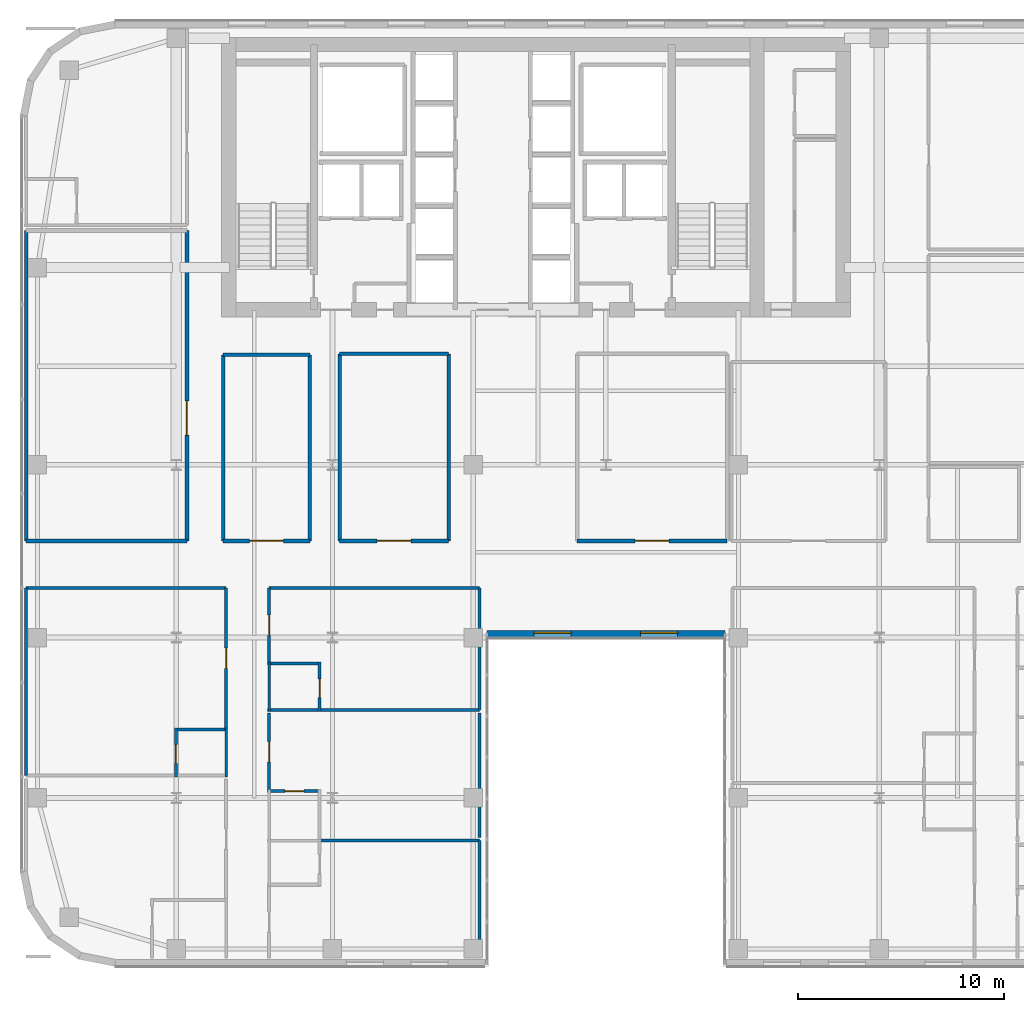
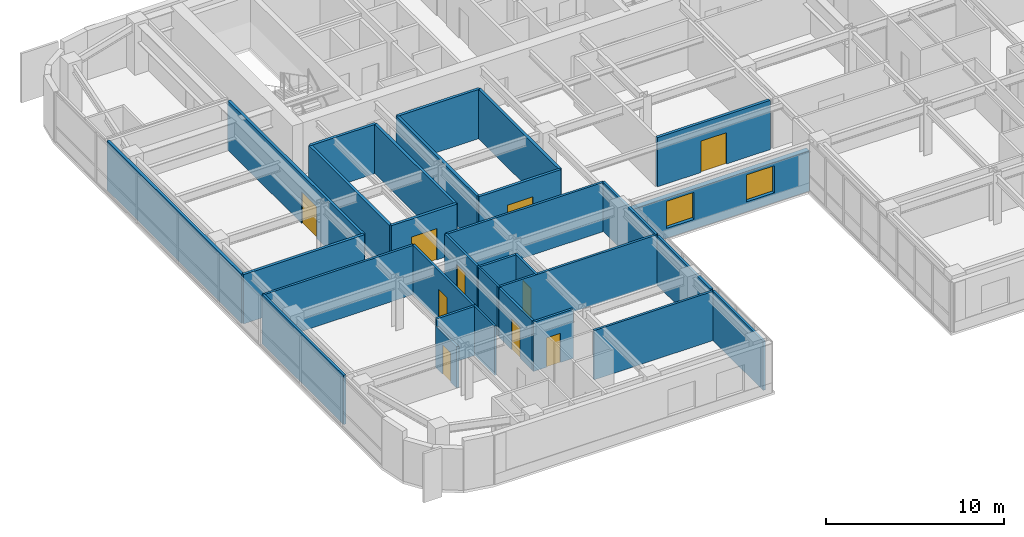
# One storey, part 27 of 37: 31 walls, 10 doors, 2 windows, 12 openings.
"""IFC4 building model written with IfcOpenShell, lengths in metres."""

from ifc_helpers import new_model, si_unit, direction, frame, frame_2d, origin, place, context, subcontext, project, spatial, rectangle, extrude, source, transform, mapped, material, layer, layer_set, type_object, type_shapes, element, fill, save


model = new_model("IFC4")

# Units and contexts
model_context = context("Model", 3, precision=1e-05, world=origin(), true_north=direction((0.0, 1.0)))
body_context = subcontext(model_context, "Body", "Model", "MODEL_VIEW")
ifc_project = project(units=[si_unit("LENGTHUNIT", "METRE"), si_unit("AREAUNIT", "SQUARE_METRE"), si_unit("VOLUMEUNIT", "CUBIC_METRE"), si_unit("PLANEANGLEUNIT", "RADIAN"), si_unit("MASSUNIT", "GRAM", prefix="KILO")], contexts=[model_context])

# Site, building, storey
site_placement = place(None, origin())
site = spatial("IfcSite", under=ifc_project, at=site_placement, CompositionType="ELEMENT")
building_placement = place(site_placement, origin())
building = spatial("IfcBuilding", under=site, at=building_placement, Name="Tolvann Quenvar Hotel", CompositionType="ELEMENT")
storey_placement = place(building_placement, frame((0.0, 0.0, 104.449951171875)))
storey = spatial("IfcBuildingStorey", under=building, at=storey_placement, Name="L26", CompositionType="ELEMENT", Elevation=104.449951171875)

# Wall, openings, windows
ifc_material_1 = material(Name="Kiln-fired red and buff architectural clay brickwork and terracotta masonry", Category="masonry")
ifc_layer_1 = layer(ifc_material_1, 0.35009765625)
ifc_layer_set_1 = layer_set([ifc_layer_1], Name="Kiln-fired red and buff architectural clay brickwork and terracotta masonry")
wall_type_1 = type_object("IfcWallType", Name="WALL_EXT_BRICK_350", PredefinedType="SOLIDWALL", material=ifc_layer_set_1)
wall_1_placement = place(storey_placement, frame((22.7099609375, 16.175048828125, 0.0), z_axis=(0.0, 0.0, 1.0), x_axis=(1.0, 0.0, 0.0)))
wall_1 = element("IfcWall", 1, at=wall_1_placement, inside=storey, type_object=wall_type_1, Name="Exterior Chicago Brick Wall L26-E06", PredefinedType="SOLIDWALL", context=body_context, shape_type="SweptSolid", body=[
    extrude(rectangle(XDim=11.580078125, YDim=0.35009765625, at=frame_2d((5.7900390625, 0.0))), origin(), (0.0, 0.0, 1.0), 2.748046875),
])
opening_1_placement = place(wall_1_placement, frame((2.294921875, 0.0, 0.679931640625)))
opening_1 = element("IfcOpeningElement", 2, at=opening_1_placement, cuts=wall_1, Name="Opening W-03", PredefinedType="OPENING", context=body_context, shape_type="SweptSolid", body=[
    extrude(rectangle(XDim=1.800048828125, YDim=1.85009765625, at=frame_2d((0.89990234375, 0.925048828125))), frame((0.0, 0.18505859375, 0.0), z_axis=(0.0, -1.0, 0.0), x_axis=(1.0, 0.0, 0.0)), (0.0, 0.0, 1.0), 0.3701171875),
])
opening_2_placement = place(wall_1_placement, frame((7.485107421875, 0.0, 0.679931640625)))
opening_2 = element("IfcOpeningElement", 3, at=opening_2_placement, cuts=wall_1, Name="Opening W-03", PredefinedType="OPENING", context=body_context, shape_type="SweptSolid", body=[
    extrude(rectangle(XDim=1.800048828125, YDim=1.85009765625, at=frame_2d((0.89990234375, 0.925048828125))), frame((0.0, 0.18505859375, 0.0), z_axis=(0.0, -1.0, 0.0), x_axis=(1.0, 0.0, 0.0)), (0.0, 0.0, 1.0), 0.3701171875),
])
ifc_material_2 = material(Name="Thermally broken bronze-anodised aluminium frame with double low-E glazing", Category="aluminium")
window_type = type_object("IfcWindowType", Name="WIN_CHI_1800x2050", PartitioningType="TRIPLE_PANEL_HORIZONTAL", PredefinedType="WINDOW", material=ifc_material_2)
shared_shape_1 = source(origin(), body_context, "Body", "SweptSolid", [
    extrude(rectangle(XDim=1.800048828125, YDim=1.85009765625, at=frame_2d((0.89990234375, 0.925048828125))), frame((0.0, 0.090087890625, 0.0), z_axis=(0.0, -1.0, 0.0), x_axis=(1.0, 0.0, 0.0)), (0.0, 0.0, 1.0), 0.06005859375),
])
type_shapes(window_type, [shared_shape_1])
window_1_placement = place(opening_1_placement, origin())
window_1 = element("IfcWindow", 4, at=window_1_placement, inside=storey, type_object=window_type, Name="Chicago Window W-03 (EW-L26-E06-W01)", OverallHeight=1.85009765625, OverallWidth=1.800048828125, PartitioningType="TRIPLE_PANEL_HORIZONTAL", PredefinedType="WINDOW", context=body_context, shape_type="MappedRepresentation", body=[
    mapped(shared_shape_1, transform((0.0, 0.0, 0.0), x_axis=(1.0, 0.0, 0.0), y_axis=(0.0, 1.0, 0.0), z_axis=(0.0, 0.0, 1.0), scale=1.0)),
])
fill(opening_1, window_1)
window_2_placement = place(opening_2_placement, origin())
window_2 = element("IfcWindow", 5, at=window_2_placement, inside=storey, type_object=window_type, Name="Chicago Window W-03 (EW-L26-E06-W02)", OverallHeight=1.85009765625, OverallWidth=1.800048828125, PartitioningType="TRIPLE_PANEL_HORIZONTAL", PredefinedType="WINDOW", context=body_context, shape_type="MappedRepresentation", body=[
    mapped(shared_shape_1, transform((0.0, 0.0, 0.0), x_axis=(1.0, 0.0, 0.0), y_axis=(0.0, 1.0, 0.0), z_axis=(0.0, 0.0, 1.0), scale=1.0)),
])
fill(opening_2, window_2)

# Wall, opening, door
ifc_material_3 = material(Name="Acoustic twin-stud fire-rated gypsum plasterboard partition")
ifc_layer_2 = layer(ifc_material_3, 0.179931640625)
ifc_layer_set_2 = layer_set([ifc_layer_2], Name="Acoustic twin-stud fire-rated gypsum plasterboard partition")
wall_type_2 = type_object("IfcWallType", Name="WALL_PART_ACOUSTIC_180", PredefinedType="PARTITIONING", material=ifc_layer_set_2)
wall_2_placement = place(storey_placement, frame((8.1201171875, 20.699951171875, 0.0), z_axis=(0.0, 0.0, 1.0), x_axis=(0.0, 1.0, 0.0)))
wall_2 = element("IfcWall", 6, at=wall_2_placement, inside=storey, type_object=wall_type_2, Name="Interior Partition PT-SPC-L26-SAL-ENT", PredefinedType="PARTITIONING", context=body_context, shape_type="SweptSolid", body=[
    extrude(rectangle(XDim=15.10009765625, YDim=0.179931640625, at=frame_2d((7.550048828125, 0.0))), origin(), (0.0, 0.0, 1.0), 3.3701171875),
])
opening_3_placement = place(wall_2_placement, frame((5.14990234375, 0.0, 0.0)))
opening_3 = element("IfcOpeningElement", 7, at=opening_3_placement, cuts=wall_2, Name="Opening AD-01", PredefinedType="OPENING", context=body_context, shape_type="SweptSolid", body=[
    extrude(rectangle(XDim=1.64990234375, YDim=2.14990234375, at=frame_2d((0.824951171875, 1.074951171875))), frame((0.0, 0.10009765625, 0.0), z_axis=(0.0, -1.0, 0.0), x_axis=(1.0, 0.0, 0.0)), (0.0, 0.0, 1.0), 0.199951171875),
])
ifc_material_4 = material(Name="Solid-core American oak acoustic fire door leaf in steel frame", Category="steel")
door_type_1 = type_object("IfcDoorType", Name="DOOR_SALON_1650", OperationType="NOTDEFINED", PredefinedType="DOOR", material=ifc_material_4)
shared_shape_2 = source(origin(), body_context, "Body", "SweptSolid", [
    extrude(rectangle(XDim=1.64990234375, YDim=2.14990234375, at=frame_2d((0.824951171875, 1.074951171875))), frame((0.0, 0.02490234375, 0.0), z_axis=(0.0, -1.0, 0.0), x_axis=(1.0, 0.0, 0.0)), (0.0, 0.0, 1.0), 0.050048828125),
])
type_shapes(door_type_1, [shared_shape_2])
door_1_placement = place(opening_3_placement, origin())
door_1 = element("IfcDoor", 8, at=door_1_placement, inside=storey, type_object=door_type_1, Name="Interior Door DOOR-SPC-L26-SAL", OperationType="DOUBLE_DOOR_SINGLE_SWING", OverallHeight=2.14990234375, OverallWidth=1.64990234375, PredefinedType="DOOR", context=body_context, shape_type="MappedRepresentation", body=[
    mapped(shared_shape_2, transform((0.0, 0.0, 0.0), x_axis=(1.0, 0.0, 0.0), y_axis=(0.0, 1.0, 0.0), z_axis=(0.0, 0.0, 1.0), scale=1.0)),
])
fill(opening_3, door_1)

# Walls
wall_3_placement = place(storey_placement, frame((0.300048828125, 20.699951171875, 0.0), z_axis=(0.0, 0.0, 1.0), x_axis=(1.0, 0.0, 0.0)))
element("IfcWall", 9, at=wall_3_placement, inside=storey, type_object=wall_type_2, Name="Interior Partition PT-SPC-L26-SAL-S", PredefinedType="PARTITIONING", context=body_context, shape_type="SweptSolid", body=[
    extrude(rectangle(XDim=7.820068359375, YDim=0.179931640625, at=frame_2d((3.91015625, 0.0))), origin(), (0.0, 0.0, 1.0), 3.3701171875),
])
wall_4_placement = place(storey_placement, frame((0.300048828125, 20.699951171875, 0.0), z_axis=(0.0, 0.0, 1.0), x_axis=(0.0, 1.0, 0.0)))
element("IfcWall", 10, at=wall_4_placement, inside=storey, type_object=wall_type_2, Name="Interior Partition PT-SPC-L26-SAL-W", PredefinedType="PARTITIONING", context=body_context, shape_type="SweptSolid", body=[
    extrude(rectangle(XDim=15.10009765625, YDim=0.179931640625, at=frame_2d((7.550048828125, 0.0))), origin(), (0.0, 0.0, 1.0), 3.3701171875),
])

# Wall, opening, door
wall_5_placement = place(storey_placement, frame((9.8798828125, 20.699951171875, 0.0), z_axis=(0.0, 0.0, 1.0), x_axis=(1.0, 0.0, 0.0)))
wall_5 = element("IfcWall", 11, at=wall_5_placement, inside=storey, type_object=wall_type_2, Name="Interior Partition PT-SPC-L26-MSP-W-S", PredefinedType="PARTITIONING", context=body_context, shape_type="SweptSolid", body=[
    extrude(rectangle(XDim=4.22021484375, YDim=0.179931640625, at=frame_2d((2.110107421875, 0.0))), origin(), (0.0, 0.0, 1.0), 3.3701171875),
])
opening_4_placement = place(wall_5_placement, frame((1.284912109375, 0.0, 0.0)))
opening_4 = element("IfcOpeningElement", 12, at=opening_4_placement, cuts=wall_5, Name="Opening AD-01", PredefinedType="OPENING", context=body_context, shape_type="SweptSolid", body=[
    extrude(rectangle(XDim=1.64990234375, YDim=2.14990234375, at=frame_2d((0.824951171875, 1.074951171875))), frame((0.0, 0.10009765625, 0.0), z_axis=(0.0, -1.0, 0.0), x_axis=(1.0, 0.0, 0.0)), (0.0, 0.0, 1.0), 0.199951171875),
])
door_2_placement = place(opening_4_placement, origin())
door_2 = element("IfcDoor", 13, at=door_2_placement, inside=storey, type_object=door_type_1, Name="Interior Door DOOR-SPC-L26-MSP-W", OperationType="DOUBLE_DOOR_SINGLE_SWING", OverallHeight=2.14990234375, OverallWidth=1.64990234375, PredefinedType="DOOR", context=body_context, shape_type="MappedRepresentation", body=[
    mapped(shared_shape_2, transform((0.0, 0.0, 0.0), x_axis=(1.0, 0.0, 0.0), y_axis=(0.0, 1.0, 0.0), z_axis=(0.0, 0.0, 1.0), scale=1.0)),
])
fill(opening_4, door_2)

# Walls
wall_6_placement = place(storey_placement, frame((9.8798828125, 29.75, 0.0), z_axis=(0.0, 0.0, 1.0), x_axis=(1.0, 0.0, 0.0)))
element("IfcWall", 14, at=wall_6_placement, inside=storey, type_object=wall_type_2, Name="Interior Partition PT-SPC-L26-MSP-W-N", PredefinedType="PARTITIONING", context=body_context, shape_type="SweptSolid", body=[
    extrude(rectangle(XDim=4.22021484375, YDim=0.179931640625, at=frame_2d((2.110107421875, 0.0))), origin(), (0.0, 0.0, 1.0), 3.3701171875),
])
for number, where, z_axis, x_axis, name in (
    (15, (9.8798828125, 20.699951171875, 0.0), (0.0, 0.0, 1.0), (0.0, 1.0, 0.0), "Interior Partition PT-SPC-L26-MSP-W-W"),
    (16, (14.10009765625, 20.699951171875, 0.0), (0.0, 0.0, 1.0), (0.0, 1.0, 0.0), "Interior Partition PT-SPC-L26-MSP-W-E"),
):
    element("IfcWall", number, at=place(storey_placement, frame(where, z_axis=z_axis, x_axis=x_axis)), inside=storey, type_object=wall_type_2, Name=name, PredefinedType="PARTITIONING", context=body_context, shape_type="SweptSolid", body=[
        extrude(rectangle(XDim=9.050048828125, YDim=0.179931640625, at=frame_2d((4.52490234375, 0.0))), origin(), (0.0, 0.0, 1.0), 3.3701171875),
    ])

# Wall, opening, door
wall_7_placement = place(storey_placement, frame((27.10009765625, 20.699951171875, 0.0), z_axis=(0.0, 0.0, 1.0), x_axis=(1.0, 0.0, 0.0)))
wall_7 = element("IfcWall", 17, at=wall_7_placement, inside=storey, type_object=wall_type_2, Name="Interior Partition PT-SPC-L26-MSP-C-S", PredefinedType="PARTITIONING", context=body_context, shape_type="SweptSolid", body=[
    extrude(rectangle(XDim=7.2998046875, YDim=0.179931640625, at=frame_2d((3.64990234375, 0.0))), origin(), (0.0, 0.0, 1.0), 3.3701171875),
])
opening_5_placement = place(wall_7_placement, frame((2.824951171875, 0.0, 0.0)))
opening_5 = element("IfcOpeningElement", 18, at=opening_5_placement, cuts=wall_7, Name="Opening AD-01", PredefinedType="OPENING", context=body_context, shape_type="SweptSolid", body=[
    extrude(rectangle(XDim=1.64990234375, YDim=2.14990234375, at=frame_2d((0.824951171875, 1.074951171875))), frame((0.0, 0.10009765625, 0.0), z_axis=(0.0, -1.0, 0.0), x_axis=(1.0, 0.0, 0.0)), (0.0, 0.0, 1.0), 0.199951171875),
])
door_3_placement = place(opening_5_placement, origin())
door_3 = element("IfcDoor", 19, at=door_3_placement, inside=storey, type_object=door_type_1, Name="Interior Door DOOR-SPC-L26-MSP-C", OperationType="DOUBLE_DOOR_SINGLE_SWING", OverallHeight=2.14990234375, OverallWidth=1.64990234375, PredefinedType="DOOR", context=body_context, shape_type="MappedRepresentation", body=[
    mapped(shared_shape_2, transform((0.0, 0.0, 0.0), x_axis=(1.0, 0.0, 0.0), y_axis=(0.0, 1.0, 0.0), z_axis=(0.0, 0.0, 1.0), scale=1.0)),
])
fill(opening_5, door_3)

wall_8_placement = place(storey_placement, frame((15.550048828125, 20.699951171875, 0.0), z_axis=(0.0, 0.0, 1.0), x_axis=(1.0, 0.0, 0.0)))
wall_8 = element("IfcWall", 20, at=wall_8_placement, inside=storey, type_object=wall_type_2, Name="Interior Partition PT-SPC-L26-MSP-N-S", PredefinedType="PARTITIONING", context=body_context, shape_type="SweptSolid", body=[
    extrude(rectangle(XDim=5.300048828125, YDim=0.179931640625, at=frame_2d((2.64990234375, 0.0))), origin(), (0.0, 0.0, 1.0), 3.3701171875),
])
opening_6_placement = place(wall_8_placement, frame((1.824951171875, 0.0, 0.0)))
opening_6 = element("IfcOpeningElement", 21, at=opening_6_placement, cuts=wall_8, Name="Opening AD-01", PredefinedType="OPENING", context=body_context, shape_type="SweptSolid", body=[
    extrude(rectangle(XDim=1.64990234375, YDim=2.14990234375, at=frame_2d((0.824951171875, 1.074951171875))), frame((0.0, 0.10009765625, 0.0), z_axis=(0.0, -1.0, 0.0), x_axis=(1.0, 0.0, 0.0)), (0.0, 0.0, 1.0), 0.199951171875),
])
door_4_placement = place(opening_6_placement, origin())
door_4 = element("IfcDoor", 22, at=door_4_placement, inside=storey, type_object=door_type_1, Name="Interior Door DOOR-SPC-L26-MSP-N", OperationType="DOUBLE_DOOR_SINGLE_SWING", OverallHeight=2.14990234375, OverallWidth=1.64990234375, PredefinedType="DOOR", context=body_context, shape_type="MappedRepresentation", body=[
    mapped(shared_shape_2, transform((0.0, 0.0, 0.0), x_axis=(1.0, 0.0, 0.0), y_axis=(0.0, 1.0, 0.0), z_axis=(0.0, 0.0, 1.0), scale=1.0)),
])
fill(opening_6, door_4)

# Walls
wall_9_placement = place(storey_placement, frame((15.550048828125, 29.800048828125, 0.0), z_axis=(0.0, 0.0, 1.0), x_axis=(1.0, 0.0, 0.0)))
element("IfcWall", 23, at=wall_9_placement, inside=storey, type_object=wall_type_2, Name="Interior Partition PT-SPC-L26-MSP-N-N", PredefinedType="PARTITIONING", context=body_context, shape_type="SweptSolid", body=[
    extrude(rectangle(XDim=5.300048828125, YDim=0.179931640625, at=frame_2d((2.64990234375, 0.0))), origin(), (0.0, 0.0, 1.0), 3.3701171875),
])
for number, where, z_axis, x_axis, name in (
    (24, (15.550048828125, 20.699951171875, 0.0), (0.0, 0.0, 1.0), (0.0, 1.0, 0.0), "Interior Partition PT-SPC-L26-MSP-N-W"),
    (25, (20.85009765625, 20.699951171875, 0.0), (0.0, 0.0, 1.0), (0.0, 1.0, 0.0), "Interior Partition PT-SPC-L26-MSP-N-E"),
):
    element("IfcWall", number, at=place(storey_placement, frame(where, z_axis=z_axis, x_axis=x_axis)), inside=storey, type_object=wall_type_2, Name=name, PredefinedType="PARTITIONING", context=body_context, shape_type="SweptSolid", body=[
        extrude(rectangle(XDim=9.10009765625, YDim=0.179931640625, at=frame_2d((4.550048828125, 0.0))), origin(), (0.0, 0.0, 1.0), 3.3701171875),
    ])
ifc_material_5 = material(Name="Moisture-resistant acoustic plumbing wall assembly")
ifc_layer_3 = layer(ifc_material_5, 0.1201171875)
ifc_layer_set_3 = layer_set([ifc_layer_3], Name="Moisture-resistant acoustic plumbing wall assembly")
wall_type_3 = type_object("IfcWallType", Name="WALL_PART_BATH_120", PredefinedType="PLUMBINGWALL", material=ifc_layer_set_3)
for number, where, z_axis, x_axis, name in (
    (26, (10.030029296875, 9.2099609375, 0.0), (0.0, 0.0, 1.0), (0.0, 1.0, 0.0), "Non-Rated Plumbing Partition PT-SPC-L26-ENS-WO02-E"),
    (27, (12.1201171875, 12.409912109375, 0.0), (0.0, 0.0, 1.0), (0.0, 1.0, 0.0), "Non-Rated Plumbing Partition PT-SPC-L26-ENS-WI03-W"),
):
    element("IfcWall", number, at=place(storey_placement, frame(where, z_axis=z_axis, x_axis=x_axis)), inside=storey, type_object=wall_type_3, Name=name, PredefinedType="PLUMBINGWALL", context=body_context, shape_type="SweptSolid", body=[
        extrude(rectangle(XDim=2.39013671875, YDim=0.1201171875, at=frame_2d((1.195068359375, 0.0))), origin(), (0.0, 0.0, 1.0), 3.3701171875),
    ])

# Wall, opening, door
ifc_layer_4 = layer(ifc_material_3, 0.14990234375)
ifc_layer_set_4 = layer_set([ifc_layer_4], Name="Acoustic twin-stud fire-rated gypsum plasterboard partition")
wall_type_4 = type_object("IfcWallType", Name="WALL_PART_SUITE_150", PredefinedType="PARTITIONING", material=ifc_layer_set_4)
wall_10_placement = place(storey_placement, frame((7.580078125, 9.2099609375, 0.0), z_axis=(0.0, 0.0, 1.0), x_axis=(0.0, 1.0, 0.0)))
wall_10 = element("IfcWall", 28, at=wall_10_placement, inside=storey, type_object=wall_type_4, Name="Interior Partition PT-SPC-L26-ENS-WO02-ENT", PredefinedType="PARTITIONING", context=body_context, shape_type="SweptSolid", body=[
    extrude(rectangle(XDim=2.39013671875, YDim=0.14990234375, at=frame_2d((1.195068359375, 0.0))), origin(), (0.0, 0.0, 1.0), 2.8271484375),
])
opening_7_placement = place(wall_10_placement, frame((0.6650390625, 0.0, 0.0)))
opening_7 = element("IfcOpeningElement", 29, at=opening_7_placement, cuts=wall_10, Name="Opening WD-01", PredefinedType="OPENING", context=body_context, shape_type="SweptSolid", body=[
    extrude(rectangle(XDim=0.919921875, YDim=2.010009765625, at=frame_2d((0.4599609375, 1.0048828125))), frame((0.0, 0.0849609375, 0.0), z_axis=(0.0, -1.0, 0.0), x_axis=(1.0, 0.0, 0.0)), (0.0, 0.0, 1.0), 0.169921875),
])
door_type_2 = type_object("IfcDoorType", Name="DOOR_WC_920", OperationType="NOTDEFINED", PredefinedType="DOOR", material=ifc_material_4)
shared_shape_3 = source(origin(), body_context, "Body", "SweptSolid", [
    extrude(rectangle(XDim=0.919921875, YDim=2.010009765625, at=frame_2d((0.4599609375, 1.0048828125))), frame((0.0, 0.02490234375, 0.0), z_axis=(0.0, -1.0, 0.0), x_axis=(1.0, 0.0, 0.0)), (0.0, 0.0, 1.0), 0.050048828125),
])
type_shapes(door_type_2, [shared_shape_3])
door_5_placement = place(opening_7_placement, origin())
door_5 = element("IfcDoor", 30, at=door_5_placement, inside=storey, type_object=door_type_2, Name="Interior Door DOOR-SPC-L26-ENS-WO02", OperationType="SINGLE_SWING_RIGHT", OverallHeight=2.010009765625, OverallWidth=0.919921875, PredefinedType="DOOR", context=body_context, shape_type="MappedRepresentation", body=[
    mapped(shared_shape_3, transform((0.0, 0.0, 0.0), x_axis=(1.0, 0.0, 0.0), y_axis=(0.0, 1.0, 0.0), z_axis=(0.0, 0.0, 1.0), scale=1.0)),
])
fill(opening_7, door_5)

# Wall
wall_11_placement = place(storey_placement, frame((7.510009765625, 11.530029296875, 0.0), z_axis=(0.0, 0.0, 1.0), x_axis=(1.0, 0.0, 0.0)))
element("IfcWall", 31, at=wall_11_placement, inside=storey, type_object=wall_type_4, Name="Interior Partition PT-SPC-L26-ENS-WO02-N", PredefinedType="PARTITIONING", context=body_context, shape_type="SweptSolid", body=[
    extrude(rectangle(XDim=2.590087890625, YDim=0.14990234375, at=frame_2d((1.294921875, 0.0))), origin(), (0.0, 0.0, 1.0), 3.3701171875),
])

# Wall, opening, door
wall_12_placement = place(storey_placement, frame((12.050048828125, 8.530029296875, 0.0), z_axis=(0.0, 0.0, 1.0), x_axis=(1.0, 0.0, 0.0)))
wall_12 = element("IfcWall", 32, at=wall_12_placement, inside=storey, type_object=wall_type_4, Name="Interior Partition PT-SPC-L26-ENS-WI02-N", PredefinedType="PARTITIONING", context=body_context, shape_type="SweptSolid", body=[
    extrude(rectangle(XDim=2.58984375, YDim=0.14990234375, at=frame_2d((1.294921875, 0.0))), origin(), (0.0, 0.0, 1.0), 3.3701171875),
])
opening_8_placement = place(wall_12_placement, frame((0.8349609375, 0.0, 0.0)))
opening_8 = element("IfcOpeningElement", 33, at=opening_8_placement, cuts=wall_12, Name="Opening WD-01", PredefinedType="OPENING", context=body_context, shape_type="SweptSolid", body=[
    extrude(rectangle(XDim=0.919921875, YDim=2.010009765625, at=frame_2d((0.4599609375, 1.0048828125))), frame((0.0, 0.0849609375, 0.0), z_axis=(0.0, -1.0, 0.0), x_axis=(1.0, 0.0, 0.0)), (0.0, 0.0, 1.0), 0.169921875),
])
door_6_placement = place(opening_8_placement, origin())
door_6 = element("IfcDoor", 34, at=door_6_placement, inside=storey, type_object=door_type_2, Name="Interior Door DOOR-SPC-L26-ENS-WI02", OperationType="SINGLE_SWING_RIGHT", OverallHeight=2.010009765625, OverallWidth=0.919921875, PredefinedType="DOOR", context=body_context, shape_type="MappedRepresentation", body=[
    mapped(shared_shape_3, transform((0.0, 0.0, 0.0), x_axis=(1.0, 0.0, 0.0), y_axis=(0.0, 1.0, 0.0), z_axis=(0.0, 0.0, 1.0), scale=1.0)),
])
fill(opening_8, door_6)

wall_13_placement = place(storey_placement, frame((14.570068359375, 12.409912109375, 0.0), z_axis=(0.0, 0.0, 1.0), x_axis=(0.0, 1.0, 0.0)))
wall_13 = element("IfcWall", 35, at=wall_13_placement, inside=storey, type_object=wall_type_4, Name="Interior Partition PT-SPC-L26-ENS-WI03-ENT", PredefinedType="PARTITIONING", context=body_context, shape_type="SweptSolid", body=[
    extrude(rectangle(XDim=2.39013671875, YDim=0.14990234375, at=frame_2d((1.195068359375, 0.0))), origin(), (0.0, 0.0, 1.0), 3.3701171875),
])
opening_9_placement = place(wall_13_placement, frame((0.6650390625, 0.0, 0.0)))
opening_9 = element("IfcOpeningElement", 36, at=opening_9_placement, cuts=wall_13, Name="Opening WD-01", PredefinedType="OPENING", context=body_context, shape_type="SweptSolid", body=[
    extrude(rectangle(XDim=0.919921875, YDim=2.010009765625, at=frame_2d((0.4599609375, 1.0048828125))), frame((0.0, 0.0849609375, 0.0), z_axis=(0.0, -1.0, 0.0), x_axis=(1.0, 0.0, 0.0)), (0.0, 0.0, 1.0), 0.169921875),
])
door_7_placement = place(opening_9_placement, origin())
door_7 = element("IfcDoor", 37, at=door_7_placement, inside=storey, type_object=door_type_2, Name="Interior Door DOOR-SPC-L26-ENS-WI03", OperationType="SINGLE_SWING_LEFT", OverallHeight=2.010009765625, OverallWidth=0.919921875, PredefinedType="DOOR", context=body_context, shape_type="MappedRepresentation", body=[
    mapped(shared_shape_3, transform((0.0, 0.0, 0.0), x_axis=(1.0, 0.0, 0.0), y_axis=(0.0, 1.0, 0.0), z_axis=(0.0, 0.0, 1.0), scale=1.0)),
])
fill(opening_9, door_7)

# Walls
wall_14_placement = place(storey_placement, frame((12.050048828125, 12.47998046875, 0.0), z_axis=(0.0, 0.0, 1.0), x_axis=(1.0, 0.0, 0.0)))
element("IfcWall", 38, at=wall_14_placement, inside=storey, type_object=wall_type_4, Name="Interior Partition PT-SPC-L26-ENS-WI03-S", PredefinedType="PARTITIONING", context=body_context, shape_type="SweptSolid", body=[
    extrude(rectangle(XDim=10.300048828125, YDim=0.14990234375, at=frame_2d((5.14990234375, 0.0))), origin(), (0.0, 0.0, 1.0), 3.3701171875),
])
wall_15_placement = place(storey_placement, frame((12.050048828125, 14.72998046875, 0.0), z_axis=(0.0, 0.0, 1.0), x_axis=(1.0, 0.0, 0.0)))
element("IfcWall", 39, at=wall_15_placement, inside=storey, type_object=wall_type_4, Name="Interior Partition PT-SPC-L26-ENS-WI03-N", PredefinedType="PARTITIONING", context=body_context, shape_type="SweptSolid", body=[
    extrude(rectangle(XDim=2.58984375, YDim=0.14990234375, at=frame_2d((1.294921875, 0.0))), origin(), (0.0, 0.0, 1.0), 3.3701171875),
])

# Wall, opening, door
wall_16_placement = place(storey_placement, frame((10.030029296875, 11.610107421875, 0.0), z_axis=(0.0, 0.0, 1.0), x_axis=(0.0, 1.0, 0.0)))
wall_16 = element("IfcWall", 40, at=wall_16_placement, inside=storey, type_object=wall_type_4, Name="Interior Partition PT-SPC-L26-RM-WO02-ENT", PredefinedType="PARTITIONING", context=body_context, shape_type="SweptSolid", body=[
    extrude(rectangle(XDim=6.809814453125, YDim=0.14990234375, at=frame_2d((3.40478515625, 0.0))), origin(), (0.0, 0.0, 1.0), 3.3701171875),
])
opening_10_placement = place(wall_16_placement, frame((2.89501953125, 0.0, 0.0)))
opening_10 = element("IfcOpeningElement", 41, at=opening_10_placement, cuts=wall_16, Name="Opening SD-01", PredefinedType="OPENING", context=body_context, shape_type="SweptSolid", body=[
    extrude(rectangle(XDim=0.97998046875, YDim=2.1201171875, at=frame_2d((0.489990234375, 1.06005859375))), frame((0.0, 0.0849609375, 0.0), z_axis=(0.0, -1.0, 0.0), x_axis=(1.0, 0.0, 0.0)), (0.0, 0.0, 1.0), 0.169921875),
])
door_type_3 = type_object("IfcDoorType", Name="DOOR_SUITE_980", OperationType="NOTDEFINED", PredefinedType="DOOR", material=ifc_material_4)
shared_shape_4 = source(origin(), body_context, "Body", "SweptSolid", [
    extrude(rectangle(XDim=0.97998046875, YDim=2.1201171875, at=frame_2d((0.489990234375, 1.06005859375))), frame((0.0, 0.02490234375, 0.0), z_axis=(0.0, -1.0, 0.0), x_axis=(1.0, 0.0, 0.0)), (0.0, 0.0, 1.0), 0.050048828125),
])
type_shapes(door_type_3, [shared_shape_4])
door_8_placement = place(opening_10_placement, origin())
door_8 = element("IfcDoor", 42, at=door_8_placement, inside=storey, type_object=door_type_3, Name="Interior Door DOOR-SPC-L26-RM-WO02", OperationType="SINGLE_SWING_RIGHT", OverallHeight=2.1201171875, OverallWidth=0.97998046875, PredefinedType="DOOR", context=body_context, shape_type="MappedRepresentation", body=[
    mapped(shared_shape_4, transform((0.0, 0.0, 0.0), x_axis=(1.0, 0.0, 0.0), y_axis=(0.0, 1.0, 0.0), z_axis=(0.0, 0.0, 1.0), scale=1.0)),
])
fill(opening_10, door_8)

# Walls
wall_17_placement = place(storey_placement, frame((0.300048828125, 18.419921875, 0.0), z_axis=(0.0, 0.0, 1.0), x_axis=(1.0, 0.0, 0.0)))
element("IfcWall", 43, at=wall_17_placement, inside=storey, type_object=wall_type_4, Name="Interior Partition PT-SPC-L26-RM-WO02-E5", PredefinedType="PARTITIONING", context=body_context, shape_type="SweptSolid", body=[
    extrude(rectangle(XDim=9.72998046875, YDim=0.14990234375, at=frame_2d((4.864990234375, 0.0))), origin(), (0.0, 0.0, 1.0), 3.3701171875),
])
wall_18_placement = place(storey_placement, frame((0.300048828125, 9.280029296875, 0.0), z_axis=(0.0, 0.0, 1.0), x_axis=(0.0, 1.0, 0.0)))
element("IfcWall", 44, at=wall_18_placement, inside=storey, type_object=wall_type_4, Name="Interior Partition PT-SPC-L26-RM-WO02-E6", PredefinedType="PARTITIONING", context=body_context, shape_type="SweptSolid", body=[
    extrude(rectangle(XDim=9.139892578125, YDim=0.14990234375, at=frame_2d((4.56982421875, 0.0))), origin(), (0.0, 0.0, 1.0), 3.3701171875),
])
wall_19_placement = place(storey_placement, frame((22.35009765625, 0.405029296875, 0.0), z_axis=(0.0, 0.0, 1.0), x_axis=(0.0, 1.0, 0.0)))
element("IfcWall", 45, at=wall_19_placement, inside=storey, type_object=wall_type_4, Name="Interior Partition PT-SPC-L26-RM-WI01-E2", PredefinedType="PARTITIONING", context=body_context, shape_type="SweptSolid", body=[
    extrude(rectangle(XDim=5.715087890625, YDim=0.14990234375, at=frame_2d((2.857421875, 0.0))), origin(), (0.0, 0.0, 1.0), 3.3701171875),
])
wall_20_placement = place(storey_placement, frame((14.590087890625, 6.1201171875, 0.0), z_axis=(0.0, 0.0, 1.0), x_axis=(1.0, 0.0, 0.0)))
element("IfcWall", 46, at=wall_20_placement, inside=storey, type_object=wall_type_4, Name="Interior Partition PT-SPC-L26-RM-WI01-E3", PredefinedType="PARTITIONING", context=body_context, shape_type="SweptSolid", body=[
    extrude(rectangle(XDim=7.760009765625, YDim=0.14990234375, at=frame_2d((3.8798828125, 0.0))), origin(), (0.0, 0.0, 1.0), 3.3701171875),
])

# Wall, opening, door
wall_21_placement = place(storey_placement, frame((12.1201171875, 8.610107421875, 0.0), z_axis=(0.0, 0.0, 1.0), x_axis=(0.0, 1.0, 0.0)))
wall_21 = element("IfcWall", 47, at=wall_21_placement, inside=storey, type_object=wall_type_4, Name="Interior Partition PT-SPC-L26-RM-WI02-ENT", PredefinedType="PARTITIONING", context=body_context, shape_type="SweptSolid", body=[
    extrude(rectangle(XDim=3.7099609375, YDim=0.14990234375, at=frame_2d((1.85498046875, 0.0))), origin(), (0.0, 0.0, 1.0), 3.3701171875),
])
opening_11_placement = place(wall_21_placement, frame((1.344970703125, 0.0, 0.0)))
opening_11 = element("IfcOpeningElement", 48, at=opening_11_placement, cuts=wall_21, Name="Opening SD-01", PredefinedType="OPENING", context=body_context, shape_type="SweptSolid", body=[
    extrude(rectangle(XDim=0.97998046875, YDim=2.1201171875, at=frame_2d((0.489990234375, 1.06005859375))), frame((0.0, 0.0849609375, 0.0), z_axis=(0.0, -1.0, 0.0), x_axis=(1.0, 0.0, 0.0)), (0.0, 0.0, 1.0), 0.169921875),
])
door_9_placement = place(opening_11_placement, origin())
door_9 = element("IfcDoor", 49, at=door_9_placement, inside=storey, type_object=door_type_3, Name="Interior Door DOOR-SPC-L26-RM-WI02", OperationType="SINGLE_SWING_RIGHT", OverallHeight=2.1201171875, OverallWidth=0.97998046875, PredefinedType="DOOR", context=body_context, shape_type="MappedRepresentation", body=[
    mapped(shared_shape_4, transform((0.0, 0.0, 0.0), x_axis=(1.0, 0.0, 0.0), y_axis=(0.0, 1.0, 0.0), z_axis=(0.0, 0.0, 1.0), scale=1.0)),
])
fill(opening_11, door_9)

# Wall
wall_22_placement = place(storey_placement, frame((22.35009765625, 6.280029296875, 0.0), z_axis=(0.0, 0.0, 1.0), x_axis=(0.0, 1.0, 0.0)))
element("IfcWall", 50, at=wall_22_placement, inside=storey, type_object=wall_type_4, Name="Interior Partition PT-SPC-L26-RM-WI02-E4", PredefinedType="PARTITIONING", context=body_context, shape_type="SweptSolid", body=[
    extrude(rectangle(XDim=6.0400390625, YDim=0.14990234375, at=frame_2d((3.02001953125, 0.0))), origin(), (0.0, 0.0, 1.0), 3.3701171875),
])

# Wall, opening, door
wall_23_placement = place(storey_placement, frame((12.1201171875, 14.81005859375, 0.0), z_axis=(0.0, 0.0, 1.0), x_axis=(0.0, 1.0, 0.0)))
wall_23 = element("IfcWall", 51, at=wall_23_placement, inside=storey, type_object=wall_type_4, Name="Interior Partition PT-SPC-L26-RM-WI03-ENT", PredefinedType="PARTITIONING", context=body_context, shape_type="SweptSolid", body=[
    extrude(rectangle(XDim=3.60986328125, YDim=0.14990234375, at=frame_2d((1.804931640625, 0.0))), origin(), (0.0, 0.0, 1.0), 3.3701171875),
])
opening_12_placement = place(wall_23_placement, frame((1.294921875, 0.0, 0.0)))
opening_12 = element("IfcOpeningElement", 52, at=opening_12_placement, cuts=wall_23, Name="Opening SD-01", PredefinedType="OPENING", context=body_context, shape_type="SweptSolid", body=[
    extrude(rectangle(XDim=0.97998046875, YDim=2.1201171875, at=frame_2d((0.489990234375, 1.06005859375))), frame((0.0, 0.0849609375, 0.0), z_axis=(0.0, -1.0, 0.0), x_axis=(1.0, 0.0, 0.0)), (0.0, 0.0, 1.0), 0.169921875),
])
door_10_placement = place(opening_12_placement, origin())
door_10 = element("IfcDoor", 53, at=door_10_placement, inside=storey, type_object=door_type_3, Name="Interior Door DOOR-SPC-L26-RM-WI03", OperationType="SINGLE_SWING_LEFT", OverallHeight=2.1201171875, OverallWidth=0.97998046875, PredefinedType="DOOR", context=body_context, shape_type="MappedRepresentation", body=[
    mapped(shared_shape_4, transform((0.0, 0.0, 0.0), x_axis=(1.0, 0.0, 0.0), y_axis=(0.0, 1.0, 0.0), z_axis=(0.0, 0.0, 1.0), scale=1.0)),
])
fill(opening_12, door_10)

# Walls
wall_24_placement = place(storey_placement, frame((22.35009765625, 12.47998046875, 0.0), z_axis=(0.0, 0.0, 1.0), x_axis=(0.0, 1.0, 0.0)))
element("IfcWall", 54, at=wall_24_placement, inside=storey, type_object=wall_type_4, Name="Interior Partition PT-SPC-L26-RM-WI03-E4", PredefinedType="PARTITIONING", context=body_context, shape_type="SweptSolid", body=[
    extrude(rectangle(XDim=5.93994140625, YDim=0.14990234375, at=frame_2d((2.969970703125, 0.0))), origin(), (0.0, 0.0, 1.0), 3.3701171875),
])
wall_25_placement = place(storey_placement, frame((12.1201171875, 18.419921875, 0.0), z_axis=(0.0, 0.0, 1.0), x_axis=(1.0, 0.0, 0.0)))
element("IfcWall", 55, at=wall_25_placement, inside=storey, type_object=wall_type_4, Name="Interior Partition PT-SPC-L26-RM-WI03-E5", PredefinedType="PARTITIONING", context=body_context, shape_type="SweptSolid", body=[
    extrude(rectangle(XDim=10.22998046875, YDim=0.14990234375, at=frame_2d((5.114990234375, 0.0))), origin(), (0.0, 0.0, 1.0), 3.3701171875),
])

save(model, "model.ifc")
